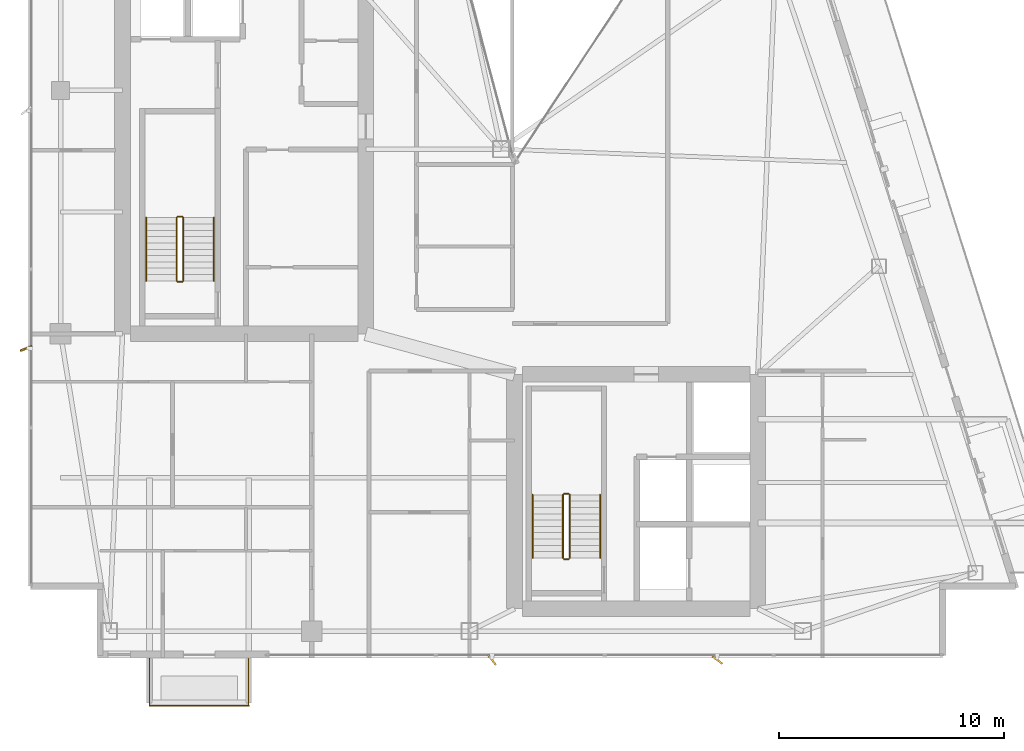
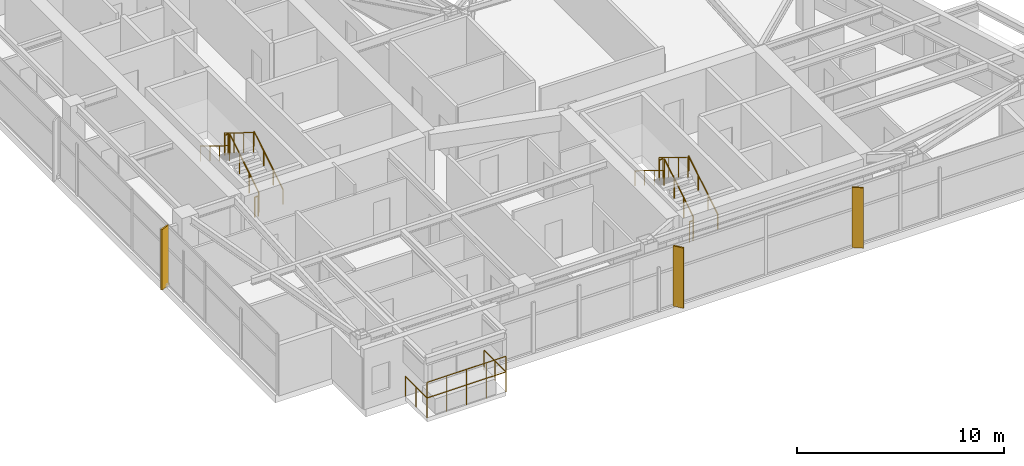
# One storey, part 27 of 28: 14 railings, 3 shading devices.
"""IFC4 building model written with IfcOpenShell, lengths in metres."""

import ifcopenshell
import ifcopenshell.guid

model = None  # the IFC model being written
_history = None  # IfcOwnerHistory: only IFC2X3 demands one
_inside = {}  # id of a spatial element -> (the spatial element, [elements in it])
_under = {}  # id of a project, library or spatial element -> (it, [spatial elements below it])
_declared = {}  # id of a project -> (the project, [libraries it declares])
_typed = {}  # id of a type object -> (the type object, [elements of that type])
_made_of = {}  # id of a material, layer set ... -> (it, [elements and type objects made of it])


def new_model(schema):
    """Start an empty IFC model of exactly this schema.

    Asked for "IFC4X3", IfcOpenShell would pick the latest addendum, in which some entities
    have other attributes; the version numbers below select the first issue.
    IFC2X3 requires an IfcOwnerHistory on every rooted entity: one is made here for all.
    """
    global model, _history
    if schema == "IFC4X3":
        model = ifcopenshell.file(schema_version=(4, 3, 0, 0))
    else:
        model = ifcopenshell.file(schema=schema)
    _inside.clear()
    _under.clear()
    _declared.clear()
    _typed.clear()
    _made_of.clear()
    _history = None
    if model.schema == "IFC2X3":
        org = make("IfcOrganization", Name="unknown")
        user = make(
            "IfcPersonAndOrganization",
            ThePerson=make("IfcPerson", FamilyName="unknown"),
            TheOrganization=org,
        )
        app = make(
            "IfcApplication",
            ApplicationDeveloper=org,
            Version="unknown",
            ApplicationFullName="unknown",
            ApplicationIdentifier="unknown",
        )
        _history = make(
            "IfcOwnerHistory",
            OwningUser=user,
            OwningApplication=app,
            ChangeAction="ADDED",
            CreationDate=0,
        )
    return model


def make(cls, **values):
    """One entity of the class cls with the attributes given. An attribute that is None is left unset."""
    return model.create_entity(
        cls, **{name: value for name, value in values.items() if value is not None}
    )


def rooted(cls, **values):
    """An entity with a GlobalId (a new one), such as an element, a storey or a relation."""
    return make(cls, GlobalId=ifcopenshell.guid.new(), OwnerHistory=_history, **values)


def si_unit(unit_type, name, prefix=None):
    """IfcSIUnit, for example si_unit("LENGTHUNIT", "METRE", prefix="MILLI")."""
    return make("IfcSIUnit", UnitType=unit_type, Prefix=prefix, Name=name)


def assignment(units):
    """IfcUnitAssignment: the units of a project."""
    return None if units is None else make("IfcUnitAssignment", Units=units)


def point(xyz):
    """IfcCartesianPoint."""
    return None if xyz is None else make("IfcCartesianPoint", Coordinates=xyz)


def direction(xyz):
    """IfcDirection."""
    return None if xyz is None else make("IfcDirection", DirectionRatios=xyz)


def frame(location, z_axis=None, x_axis=None):
    """IfcAxis2Placement3D, a coordinate frame: its origin and axes. An axis left out is left unset."""
    return make(
        "IfcAxis2Placement3D",
        Location=point(location),
        Axis=direction(z_axis),
        RefDirection=direction(x_axis),
    )


def frame_2d(location, x_axis=None):
    """IfcAxis2Placement2D, a coordinate frame in the plane: its origin and x axis."""
    return make(
        "IfcAxis2Placement2D", Location=point(location), RefDirection=direction(x_axis)
    )


def origin():
    """The frame at (0, 0, 0) with its axes left unset."""
    return frame((0.0, 0.0, 0.0))


def origin_2d():
    """The frame at (0, 0) in the plane with its x axis left unset."""
    return frame_2d((0.0, 0.0))


def place(relative_to, where):
    """IfcLocalPlacement: puts the frame where relative to a parent placement (None: the world)."""
    return make(
        "IfcLocalPlacement", PlacementRelTo=relative_to, RelativePlacement=where
    )


def context(
    kind, dimensions, precision=None, world=None, true_north=None, identifier=None
):
    """IfcGeometricRepresentationContext, for example the 3D "Model" context."""
    return make(
        "IfcGeometricRepresentationContext",
        ContextIdentifier=identifier,
        ContextType=kind,
        CoordinateSpaceDimension=dimensions,
        Precision=precision,
        WorldCoordinateSystem=world,
        TrueNorth=true_north,
    )


def subcontext(parent, identifier, kind, view, scale=None):
    """IfcGeometricRepresentationSubContext, for example "Body" below "Model"."""
    return make(
        "IfcGeometricRepresentationSubContext",
        ContextIdentifier=identifier,
        ContextType=kind,
        ParentContext=parent,
        TargetScale=scale,
        TargetView=view,
    )


def project(units=None, contexts=None):
    """IfcProject with its units and contexts."""
    return rooted(
        "IfcProject",
        Name="project",
        RepresentationContexts=contexts,
        UnitsInContext=assignment(units),
    )


def spatial(cls, under=None, at=None, **own):
    """A site, building, storey or space (cls), placed at a placement, below another one or the project."""
    s = rooted(cls, ObjectPlacement=at, **own)
    if under is not None:
        _under.setdefault(under.id(), (under, []))[1].append(s)
    return s


def profile(cls, at=None, kind="AREA", **sizes):
    """A parametric profile (cls). Its sizes go by their IFC names, for example OverallWidth=200.0."""
    return make(cls, ProfileType=kind, Position=at, **sizes)


def rectangle(**sizes):
    """IfcRectangleProfileDef."""
    return profile("IfcRectangleProfileDef", **sizes)


def circle(**sizes):
    """IfcCircleProfileDef."""
    return profile("IfcCircleProfileDef", **sizes)


def extrude(swept, where, along, depth):
    """IfcExtrudedAreaSolid: the profile swept, set in the frame where, extruded along a direction by depth."""
    return make(
        "IfcExtrudedAreaSolid",
        SweptArea=swept,
        Position=where,
        ExtrudedDirection=direction(along),
        Depth=depth,
    )


def shape(context_of_items, identifier, shape_type, items):
    """IfcShapeRepresentation: the items that make up one representation, for example the "Body"."""
    return make(
        "IfcShapeRepresentation",
        ContextOfItems=context_of_items,
        RepresentationIdentifier=identifier,
        RepresentationType=shape_type,
        Items=items,
    )


def material(Name=None, Category=None):
    """IfcMaterial."""
    return make("IfcMaterial", Name=Name, Category=Category)


def made_of(thing, what):
    """Note that an element or type object is made of a material, layer set ...; save() writes the relation."""
    if what is not None:
        _made_of.setdefault(what.id(), (what, []))[1].append(thing)
    return thing


def type_object(cls, material=None, **own):
    """A type object (cls), such as IfcWallType, which elements share."""
    return made_of(rooted(cls, **own), material)


def element(
    cls,
    number,
    at=None,
    inside=None,
    cuts=None,
    type_object=None,
    material=None,
    context=None,
    identifier="Body",
    shape_type=None,
    held_by="IfcProductDefinitionShape",
    body=None,
    shapes=None,
    **own,
):
    """One element of the class cls, such as IfcWall. Its Tag is "e" and its number.

    at: its placement. inside: the storey or other place that contains it. cuts: it is an
    opening in that element (IfcRelVoidsElement). A single representation is given by context,
    identifier, shape_type and body (its items); several are given by shapes. held_by: the class
    of the entity that holds the representations. save() writes the other relations.
    """
    e = rooted(cls, Tag="e%d" % number, ObjectPlacement=at, **own)
    if body is not None:
        shapes = [shape(context, identifier, shape_type, body)]
    if shapes is not None:
        e.Representation = make(held_by, Representations=shapes)
    if inside is not None:
        _inside.setdefault(inside.id(), (inside, []))[1].append(e)
    if cuts is not None:
        rooted(
            "IfcRelVoidsElement", RelatingBuildingElement=cuts, RelatedOpeningElement=e
        )
    if type_object is not None:
        _typed.setdefault(type_object.id(), (type_object, []))[1].append(e)
    return made_of(e, material)


def aggregate(whole, parts):
    """IfcRelAggregates: a whole, such as a stair, and the parts it consists of."""
    return rooted("IfcRelAggregates", RelatingObject=whole, RelatedObjects=parts)


def save(model, path):
    """Write the relations noted so far, then the file.

    IfcRelAggregates (storeys below a building ...), IfcRelContainedInSpatialStructure (elements
    in a storey), IfcRelDefinesByType, IfcRelAssociatesMaterial and IfcRelDeclares: one each for
    every whole, place, type object, material and project.
    """
    for whole, parts in _under.values():
        aggregate(whole, parts)
    for where, things in _inside.values():
        rooted(
            "IfcRelContainedInSpatialStructure",
            RelatedElements=things,
            RelatingStructure=where,
        )
    for kind, things in _typed.values():
        rooted("IfcRelDefinesByType", RelatedObjects=things, RelatingType=kind)
    for what, things in _made_of.values():
        rooted("IfcRelAssociatesMaterial", RelatedObjects=things, RelatingMaterial=what)
    for by, libraries in _declared.values():
        rooted("IfcRelDeclares", RelatingContext=by, RelatedDefinitions=libraries)
    model.write(path)


model = new_model("IFC4")

# Units and contexts
model_context = context("Model", 3, precision=1e-05, world=origin(), true_north=direction((0.0, 1.0)))
body_context = subcontext(model_context, "Body", "Model", "MODEL_VIEW")
ifc_project = project(units=[si_unit("LENGTHUNIT", "METRE"), si_unit("AREAUNIT", "SQUARE_METRE"), si_unit("VOLUMEUNIT", "CUBIC_METRE"), si_unit("PLANEANGLEUNIT", "RADIAN"), si_unit("MASSUNIT", "GRAM", prefix="KILO")], contexts=[model_context])

# Site, building, storey
site_placement = place(None, origin())
site = spatial("IfcSite", under=ifc_project, at=site_placement, CompositionType="ELEMENT")
building_placement = place(site_placement, origin())
building = spatial("IfcBuilding", under=site, at=building_placement, Name="Calvorn Quay Hotel", CompositionType="ELEMENT")
storey_placement = place(building_placement, frame((0.0, 0.0, 263.5)))
storey = spatial("IfcBuildingStorey", under=building, at=storey_placement, Name="L65", CompositionType="ELEMENT", Elevation=263.5)

# Railings
ifc_material_1 = material(Name="Pale Anodised Aluminium and Laminated Glass", Category="aluminium")
railing_type_1 = type_object("IfcRailingType", Name="RLG-BALUSTRADE-1200", PredefinedType="BALUSTRADE", material=ifc_material_1)
railing_1_placement = place(storey_placement, frame((5.39990234375, 2.389892578125, 0.0)))
element("IfcRailing", 1, at=railing_1_placement, inside=storey, type_object=railing_type_1, Name="Tree Balcony Perimeter Balustrade L65-BALC-S", PredefinedType="BALUSTRADE", context=body_context, shape_type="SweptSolid", body=[
    extrude(circle(Radius=0.02392578125, at=origin_2d()), frame((0.0, 0.0, 1.17578125), z_axis=(0.0, -1.0, 0.0), x_axis=(1.0, 0.0, 0.0)), (0.0, 0.0, 1.0), 2.099853515625),
    extrude(circle(Radius=0.02392578125, at=origin_2d()), frame((0.0, -2.099853515625, 1.17578125), z_axis=(1.0, 0.0, 0.0), x_axis=(0.0, 1.0, 0.0)), (0.0, 0.0, 1.0), 4.400146484375),
    extrude(circle(Radius=0.02392578125, at=origin_2d()), frame((4.400146484375, -2.099853515625, 1.17578125), z_axis=(0.0, 1.0, 0.0), x_axis=(-1.0, 0.0, 0.0)), (0.0, 0.0, 1.0), 2.099853515625),
    extrude(circle(Radius=0.02099609375, at=origin_2d()), origin(), (0.0, 0.0, 1.0), 1.15185546875),
    extrude(circle(Radius=0.02099609375, at=origin_2d()), frame((0.0, -1.0498046875, 0.0)), (0.0, 0.0, 1.0), 1.15185546875),
    extrude(circle(Radius=0.02099609375, at=origin_2d()), frame((0.0, -2.099853515625, 0.0)), (0.0, 0.0, 1.0), 1.15185546875),
    extrude(circle(Radius=0.02099609375, at=origin_2d()), frame((1.10009765625, -2.099853515625, 0.0)), (0.0, 0.0, 1.0), 1.15185546875),
    extrude(circle(Radius=0.02099609375, at=origin_2d()), frame((2.2001953125, -2.099853515625, 0.0)), (0.0, 0.0, 1.0), 1.15185546875),
    extrude(circle(Radius=0.02099609375, at=origin_2d()), frame((3.300048828125, -2.099853515625, 0.0)), (0.0, 0.0, 1.0), 1.15185546875),
    extrude(circle(Radius=0.02099609375, at=origin_2d()), frame((4.400146484375, -2.099853515625, 0.0)), (0.0, 0.0, 1.0), 1.15185546875),
    extrude(circle(Radius=0.02099609375, at=origin_2d()), frame((4.400146484375, -1.0498046875, 0.0)), (0.0, 0.0, 1.0), 1.15185546875),
    extrude(circle(Radius=0.02099609375, at=origin_2d()), frame((4.400146484375, 0.0, 0.0)), (0.0, 0.0, 1.0), 1.15185546875),
])
railing_2_placement = place(storey_placement, frame((5.39990234375, 0.2900390625, 0.89990234375)))
element("IfcRailing", 2, at=railing_2_placement, inside=storey, type_object=railing_type_1, Name="Planter Kerb High Safety Screen L65-BALC-S", PredefinedType="BALUSTRADE", context=body_context, shape_type="SweptSolid", body=[
    extrude(circle(Radius=0.02392578125, at=origin_2d()), frame((0.0, 0.0, 1.19580078125), z_axis=(1.0, 0.0, 0.0), x_axis=(0.0, 1.0, 0.0)), (0.0, 0.0, 1.0), 4.400146484375),
    extrude(circle(Radius=0.02099609375, at=origin_2d()), origin(), (0.0, 0.0, 1.0), 1.171875),
    extrude(circle(Radius=0.02099609375, at=origin_2d()), frame((1.10009765625, 0.0, 0.0)), (0.0, 0.0, 1.0), 1.171875),
    extrude(circle(Radius=0.02099609375, at=origin_2d()), frame((2.2001953125, 0.0, 0.0)), (0.0, 0.0, 1.0), 1.171875),
    extrude(circle(Radius=0.02099609375, at=origin_2d()), frame((3.300048828125, 0.0, 0.0)), (0.0, 0.0, 1.0), 1.171875),
    extrude(circle(Radius=0.02099609375, at=origin_2d()), frame((4.400146484375, 0.0, 0.0)), (0.0, 0.0, 1.0), 1.171875),
])
ifc_material_2 = material(Name="Brushed Stainless Steel Handrail", Category="steel")
railing_type_2 = type_object("IfcRailingType", Name="RLG-HANDRAIL-900", PredefinedType="HANDRAIL", material=ifc_material_2)
railing_3_placement = place(storey_placement, frame((8.25, 19.14990234375, 0.172607421875)))
element("IfcRailing", 3, at=railing_3_placement, inside=storey, type_object=railing_type_2, Name="L65 ST-W stair handrail 1", PredefinedType="HANDRAIL", context=body_context, shape_type="SweptSolid", body=[
    extrude(circle(Radius=0.02392578125, at=origin_2d()), frame((0.0, 0.0, 0.8759765625), z_axis=(0.0, 0.851089632645, 0.525020415988), x_axis=(-1.0, 0.0, 0.0)), (0.0, 0.0, 1.0), 3.2900390625),
    extrude(circle(Radius=0.02099609375, at=origin_2d()), origin(), (0.0, 0.0, 1.0), 0.851806640625),
    extrude(circle(Radius=0.02099609375, at=origin_2d()), frame((0.0, 0.933349609375, 0.57568359375)), (0.0, 0.0, 1.0), 0.851806640625),
    extrude(circle(Radius=0.02099609375, at=origin_2d()), frame((0.0, 1.86669921875, 1.151611328125)), (0.0, 0.0, 1.0), 0.851806640625),
    extrude(circle(Radius=0.02099609375, at=origin_2d()), frame((0.0, 2.800048828125, 1.727294921875)), (0.0, 0.0, 1.0), 0.851806640625),
])
railing_4_placement = place(storey_placement, frame((5.25, 21.949951171875, 2.07275390625)))
element("IfcRailing", 4, at=railing_4_placement, inside=storey, type_object=railing_type_2, Name="L65 ST-W stair handrail 2", PredefinedType="HANDRAIL", context=body_context, shape_type="SweptSolid", body=[
    extrude(circle(Radius=0.02392578125, at=origin_2d()), frame((0.0, 0.0, 0.8759765625), z_axis=(0.0, -0.851089632645, 0.525020415988), x_axis=(1.0, 0.0, 0.0)), (0.0, 0.0, 1.0), 3.2900390625),
    extrude(circle(Radius=0.02099609375, at=origin_2d()), origin(), (0.0, 0.0, 1.0), 0.851806640625),
    extrude(circle(Radius=0.02099609375, at=origin_2d()), frame((0.0, -0.933349609375, 0.57568359375)), (0.0, 0.0, 1.0), 0.851806640625),
    extrude(circle(Radius=0.02099609375, at=origin_2d()), frame((0.0, -1.86669921875, 1.151611328125)), (0.0, 0.0, 1.0), 0.851806640625),
    extrude(circle(Radius=0.02099609375, at=origin_2d()), frame((0.0, -2.800048828125, 1.727294921875)), (0.0, 0.0, 1.0), 0.851806640625),
])
railing_5_placement = place(storey_placement, frame((25.39990234375, 6.85009765625, 0.172607421875)))
element("IfcRailing", 5, at=railing_5_placement, inside=storey, type_object=railing_type_2, Name="L65 ST-E stair handrail 1", PredefinedType="HANDRAIL", context=body_context, shape_type="SweptSolid", body=[
    extrude(circle(Radius=0.02392578125, at=origin_2d()), frame((0.0, 0.0, 0.8759765625), z_axis=(0.0, 0.851069175582, 0.525053576669), x_axis=(-1.0, 0.0, 0.0)), (0.0, 0.0, 1.0), 3.289794921875),
    extrude(circle(Radius=0.02099609375, at=origin_2d()), origin(), (0.0, 0.0, 1.0), 0.851806640625),
    extrude(circle(Radius=0.02099609375, at=origin_2d()), frame((0.0, 0.933349609375, 0.57568359375)), (0.0, 0.0, 1.0), 0.851806640625),
    extrude(circle(Radius=0.02099609375, at=origin_2d()), frame((0.0, 1.866455078125, 1.151611328125)), (0.0, 0.0, 1.0), 0.851806640625),
    extrude(circle(Radius=0.02099609375, at=origin_2d()), frame((0.0, 2.7998046875, 1.727294921875)), (0.0, 0.0, 1.0), 0.851806640625),
])
railing_6_placement = place(storey_placement, frame((22.39990234375, 9.64990234375, 2.07275390625)))
element("IfcRailing", 6, at=railing_6_placement, inside=storey, type_object=railing_type_2, Name="L65 ST-E stair handrail 2", PredefinedType="HANDRAIL", context=body_context, shape_type="SweptSolid", body=[
    extrude(circle(Radius=0.02392578125, at=origin_2d()), frame((0.0, 0.0, 0.8759765625), z_axis=(0.0, -0.851069175582, 0.525053576669), x_axis=(1.0, 0.0, 0.0)), (0.0, 0.0, 1.0), 3.289794921875),
    extrude(circle(Radius=0.02099609375, at=origin_2d()), origin(), (0.0, 0.0, 1.0), 0.851806640625),
    extrude(circle(Radius=0.02099609375, at=origin_2d()), frame((0.0, -0.933349609375, 0.57568359375)), (0.0, 0.0, 1.0), 0.851806640625),
    extrude(circle(Radius=0.02099609375, at=origin_2d()), frame((0.0, -1.866455078125, 1.151611328125)), (0.0, 0.0, 1.0), 0.851806640625),
    extrude(circle(Radius=0.02099609375, at=origin_2d()), frame((0.0, -2.7998046875, 1.727294921875)), (0.0, 0.0, 1.0), 0.851806640625),
])
ifc_material_3 = material(Name="Painted Galvanised Steel Balustrade", Category="steel")
railing_type_3 = type_object("IfcRailingType", Name="RLG-STAIR-GUARD-1120", PredefinedType="GUARDRAIL", material=ifc_material_3)
railing_7_placement = place(storey_placement, frame((6.89990234375, 19.14990234375, 0.172607421875)))
element("IfcRailing", 7, at=railing_7_placement, inside=storey, type_object=railing_type_3, Name="L65 ST-W stair guard 1", PredefinedType="GUARDRAIL", context=body_context, shape_type="SweptSolid", body=[
    extrude(circle(Radius=0.02392578125, at=origin_2d()), frame((0.0, 0.0, 1.17578125), z_axis=(0.0, 0.851089632645, 0.525020415988), x_axis=(-1.0, 0.0, 0.0)), (0.0, 0.0, 1.0), 3.2900390625),
    extrude(circle(Radius=0.02099609375, at=origin_2d()), origin(), (0.0, 0.0, 1.0), 1.15185546875),
    extrude(circle(Radius=0.02099609375, at=origin_2d()), frame((0.0, 0.933349609375, 0.57568359375)), (0.0, 0.0, 1.0), 1.15185546875),
    extrude(circle(Radius=0.02099609375, at=origin_2d()), frame((0.0, 1.86669921875, 1.151611328125)), (0.0, 0.0, 1.0), 1.15185546875),
    extrude(circle(Radius=0.02099609375, at=origin_2d()), frame((0.0, 2.800048828125, 1.727294921875)), (0.0, 0.0, 1.0), 1.15185546875),
])
railing_8_placement = place(storey_placement, frame((6.85009765625, 22.0, 1.89990234375)))
element("IfcRailing", 8, at=railing_8_placement, inside=storey, type_object=railing_type_3, Name="L65 ST-W stair guard 2", PredefinedType="GUARDRAIL", context=body_context, shape_type="SweptSolid", body=[
    extrude(circle(Radius=0.02392578125, at=origin_2d()), frame((0.0, 0.0, 1.17578125), z_axis=(-1.0, 0.0, 0.0), x_axis=(0.0, -1.0, 0.0)), (0.0, 0.0, 1.0), 0.2001953125),
    extrude(circle(Radius=0.02099609375, at=origin_2d()), origin(), (0.0, 0.0, 1.0), 1.15185546875),
    extrude(circle(Radius=0.02099609375, at=origin_2d()), frame((-0.2001953125, 0.0, 0.0)), (0.0, 0.0, 1.0), 1.15185546875),
])
railing_9_placement = place(storey_placement, frame((6.60009765625, 21.949951171875, 2.07275390625)))
element("IfcRailing", 9, at=railing_9_placement, inside=storey, type_object=railing_type_3, Name="L65 ST-W stair guard 3", PredefinedType="GUARDRAIL", context=body_context, shape_type="SweptSolid", body=[
    extrude(circle(Radius=0.02392578125, at=origin_2d()), frame((0.0, 0.0, 1.17578125), z_axis=(0.0, -0.851089632645, 0.525020415988), x_axis=(1.0, 0.0, 0.0)), (0.0, 0.0, 1.0), 3.2900390625),
    extrude(circle(Radius=0.02099609375, at=origin_2d()), origin(), (0.0, 0.0, 1.0), 1.15185546875),
    extrude(circle(Radius=0.02099609375, at=origin_2d()), frame((0.0, -0.933349609375, 0.57568359375)), (0.0, 0.0, 1.0), 1.15185546875),
    extrude(circle(Radius=0.02099609375, at=origin_2d()), frame((0.0, -1.86669921875, 1.151611328125)), (0.0, 0.0, 1.0), 1.15185546875),
    extrude(circle(Radius=0.02099609375, at=origin_2d()), frame((0.0, -2.800048828125, 1.727294921875)), (0.0, 0.0, 1.0), 1.15185546875),
])
railing_10_placement = place(storey_placement, frame((6.85009765625, 19.10009765625, 0.0)))
element("IfcRailing", 10, at=railing_10_placement, inside=storey, type_object=railing_type_3, Name="L65 ST-W stair guard 4", PredefinedType="GUARDRAIL", context=body_context, shape_type="SweptSolid", body=[
    extrude(circle(Radius=0.02392578125, at=origin_2d()), frame((0.0, 0.0, 1.17578125), z_axis=(-1.0, 0.0, 0.0), x_axis=(0.0, -1.0, 0.0)), (0.0, 0.0, 1.0), 0.2001953125),
    extrude(circle(Radius=0.02099609375, at=origin_2d()), origin(), (0.0, 0.0, 1.0), 1.15185546875),
    extrude(circle(Radius=0.02099609375, at=origin_2d()), frame((-0.2001953125, 0.0, 0.0)), (0.0, 0.0, 1.0), 1.15185546875),
])
railing_11_placement = place(storey_placement, frame((24.050048828125, 6.85009765625, 0.172607421875)))
element("IfcRailing", 11, at=railing_11_placement, inside=storey, type_object=railing_type_3, Name="L65 ST-E stair guard 1", PredefinedType="GUARDRAIL", context=body_context, shape_type="SweptSolid", body=[
    extrude(circle(Radius=0.02392578125, at=origin_2d()), frame((0.0, 0.0, 1.17578125), z_axis=(0.0, 0.851069175582, 0.525053576669), x_axis=(-1.0, 0.0, 0.0)), (0.0, 0.0, 1.0), 3.289794921875),
    extrude(circle(Radius=0.02099609375, at=origin_2d()), origin(), (0.0, 0.0, 1.0), 1.15185546875),
    extrude(circle(Radius=0.02099609375, at=origin_2d()), frame((0.0, 0.933349609375, 0.57568359375)), (0.0, 0.0, 1.0), 1.15185546875),
    extrude(circle(Radius=0.02099609375, at=origin_2d()), frame((0.0, 1.866455078125, 1.151611328125)), (0.0, 0.0, 1.0), 1.15185546875),
    extrude(circle(Radius=0.02099609375, at=origin_2d()), frame((0.0, 2.7998046875, 1.727294921875)), (0.0, 0.0, 1.0), 1.15185546875),
])
railing_12_placement = place(storey_placement, frame((24.0, 9.699951171875, 1.89990234375)))
element("IfcRailing", 12, at=railing_12_placement, inside=storey, type_object=railing_type_3, Name="L65 ST-E stair guard 2", PredefinedType="GUARDRAIL", context=body_context, shape_type="SweptSolid", body=[
    extrude(circle(Radius=0.02392578125, at=origin_2d()), frame((0.0, 0.0, 1.17578125), z_axis=(-1.0, 0.0, 0.0), x_axis=(0.0, -1.0, 0.0)), (0.0, 0.0, 1.0), 0.199951171875),
    extrude(circle(Radius=0.02099609375, at=origin_2d()), origin(), (0.0, 0.0, 1.0), 1.15185546875),
    extrude(circle(Radius=0.02099609375, at=origin_2d()), frame((-0.199951171875, 0.0, 0.0)), (0.0, 0.0, 1.0), 1.15185546875),
])
railing_13_placement = place(storey_placement, frame((23.75, 9.64990234375, 2.07275390625)))
element("IfcRailing", 13, at=railing_13_placement, inside=storey, type_object=railing_type_3, Name="L65 ST-E stair guard 3", PredefinedType="GUARDRAIL", context=body_context, shape_type="SweptSolid", body=[
    extrude(circle(Radius=0.02392578125, at=origin_2d()), frame((0.0, 0.0, 1.17578125), z_axis=(0.0, -0.851069175582, 0.525053576669), x_axis=(1.0, 0.0, 0.0)), (0.0, 0.0, 1.0), 3.289794921875),
    extrude(circle(Radius=0.02099609375, at=origin_2d()), origin(), (0.0, 0.0, 1.0), 1.15185546875),
    extrude(circle(Radius=0.02099609375, at=origin_2d()), frame((0.0, -0.933349609375, 0.57568359375)), (0.0, 0.0, 1.0), 1.15185546875),
    extrude(circle(Radius=0.02099609375, at=origin_2d()), frame((0.0, -1.866455078125, 1.151611328125)), (0.0, 0.0, 1.0), 1.15185546875),
    extrude(circle(Radius=0.02099609375, at=origin_2d()), frame((0.0, -2.7998046875, 1.727294921875)), (0.0, 0.0, 1.0), 1.15185546875),
])
railing_14_placement = place(storey_placement, frame((24.0, 6.800048828125, 0.0)))
element("IfcRailing", 14, at=railing_14_placement, inside=storey, type_object=railing_type_3, Name="L65 ST-E stair guard 4", PredefinedType="GUARDRAIL", context=body_context, shape_type="SweptSolid", body=[
    extrude(circle(Radius=0.02392578125, at=origin_2d()), frame((0.0, 0.0, 1.17578125), z_axis=(-1.0, 0.0, 0.0), x_axis=(0.0, -1.0, 0.0)), (0.0, 0.0, 1.0), 0.199951171875),
    extrude(circle(Radius=0.02099609375, at=origin_2d()), origin(), (0.0, 0.0, 1.0), 1.15185546875),
    extrude(circle(Radius=0.02099609375, at=origin_2d()), frame((-0.199951171875, 0.0, 0.0)), (0.0, 0.0, 1.0), 1.15185546875),
])

# Shading devices
ifc_material_4 = material(Name="Champagne Bronze Anodised Aluminium 6063-T6", Category="aluminium")
shading_device_type_1 = type_object("IfcShadingDeviceType", Name="SHD-FIN-A1", PredefinedType="USERDEFINED", material=ifc_material_4)
shading_device_1_placement = place(storey_placement, frame((-0.080078125, 16.14990234375, 0.0), z_axis=(0.0, 0.0, 1.0), x_axis=(0.927183854567, 0.374606593416, 0.0)))
element("IfcShadingDevice", 15, at=shading_device_1_placement, inside=storey, type_object=shading_device_type_1, Name="Diagonal Sun-Shading Fin L65-W01", ObjectType="FIN", PredefinedType="USERDEFINED", context=body_context, shape_type="SweptSolid", body=[
    extrude(rectangle(XDim=0.550048828125, YDim=0.080078125, at=origin_2d()), origin(), (0.0, 0.0, 1.0), 3.56005859375),
])
ifc_material_5 = material(Name="Champagne Bronze Anodised Aluminium 6063-T6", Category="aluminium")
shading_device_type_2 = type_object("IfcShadingDeviceType", Name="SHD-FIN-A2", PredefinedType="USERDEFINED", material=ifc_material_5)
shading_device_2_placement = place(storey_placement, frame((20.60009765625, 2.320068359375, 0.0), z_axis=(0.0, 0.0, 1.0), x_axis=(-0.615661475326, 0.788010753607, 0.0)))
element("IfcShadingDevice", 16, at=shading_device_2_placement, inside=storey, type_object=shading_device_type_2, Name="Diagonal Sun-Shading Fin L65-S01", ObjectType="FIN", PredefinedType="USERDEFINED", context=body_context, shape_type="SweptSolid", body=[
    extrude(rectangle(XDim=0.550048828125, YDim=0.080078125, at=origin_2d()), origin(), (0.0, 0.0, 1.0), 3.56005859375),
])
ifc_material_6 = material(Name="Champagne Bronze Anodised Aluminium 6063-T6", Category="aluminium")
shading_device_type_3 = type_object("IfcShadingDeviceType", Name="SHD-FIN-A3", PredefinedType="USERDEFINED", material=ifc_material_6)
shading_device_3_placement = place(storey_placement, frame((30.60009765625, 2.320068359375, 0.0), z_axis=(0.0, 0.0, 1.0), x_axis=(-0.809016994375, 0.587785252292, 0.0)))
element("IfcShadingDevice", 17, at=shading_device_3_placement, inside=storey, type_object=shading_device_type_3, Name="Diagonal Sun-Shading Fin L65-S02", ObjectType="FIN", PredefinedType="USERDEFINED", context=body_context, shape_type="SweptSolid", body=[
    extrude(rectangle(XDim=0.550048828125, YDim=0.080078125, at=origin_2d()), origin(), (0.0, 0.0, 1.0), 3.56005859375),
])

save(model, "model.ifc")
